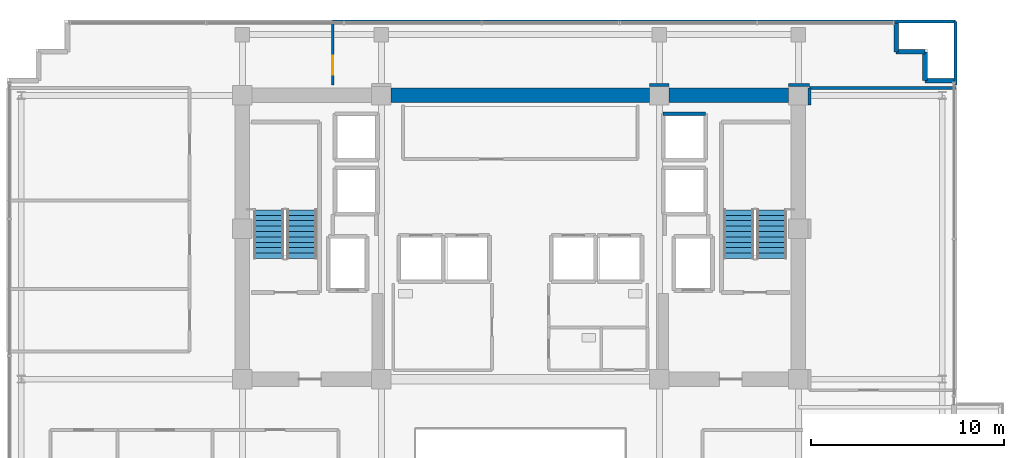
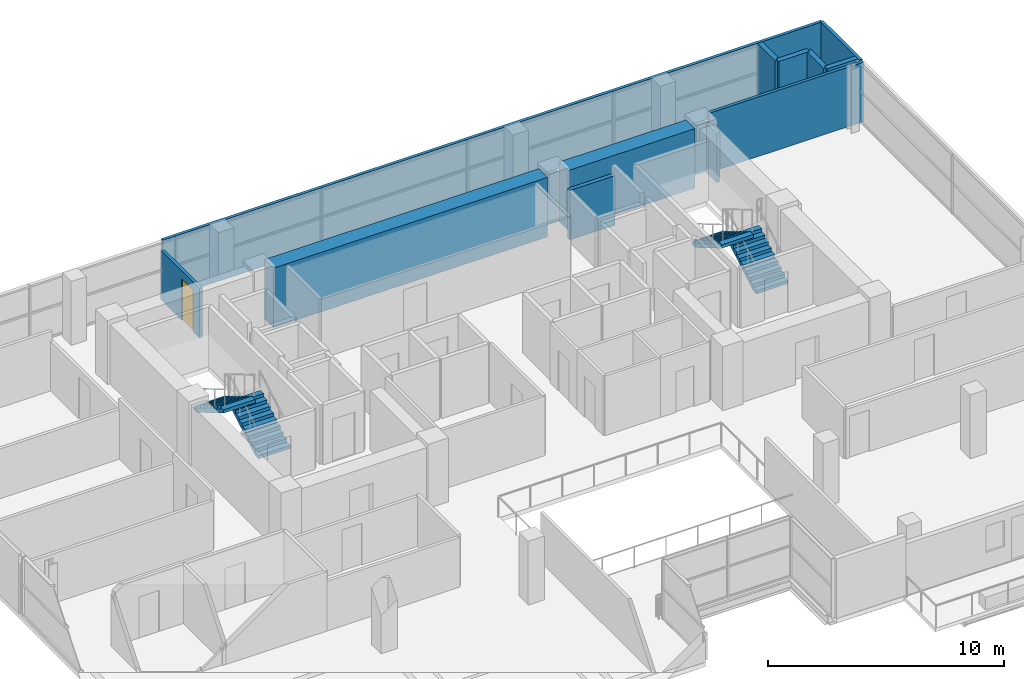
# One storey, part 21 of 25: 14 walls, 4 stair flights, 1 door, 1 opening, 2 elements without a shape of their own.
"""IFC4 building model written with IfcOpenShell, lengths in metres."""

import ifcopenshell
import ifcopenshell.guid

model = None  # the IFC model being written
_history = None  # IfcOwnerHistory: only IFC2X3 demands one
_inside = {}  # id of a spatial element -> (the spatial element, [elements in it])
_under = {}  # id of a project, library or spatial element -> (it, [spatial elements below it])
_declared = {}  # id of a project -> (the project, [libraries it declares])
_typed = {}  # id of a type object -> (the type object, [elements of that type])
_made_of = {}  # id of a material, layer set ... -> (it, [elements and type objects made of it])


def new_model(schema):
    """Start an empty IFC model of exactly this schema.

    Asked for "IFC4X3", IfcOpenShell would pick the latest addendum, in which some entities
    have other attributes; the version numbers below select the first issue.
    IFC2X3 requires an IfcOwnerHistory on every rooted entity: one is made here for all.
    """
    global model, _history
    if schema == "IFC4X3":
        model = ifcopenshell.file(schema_version=(4, 3, 0, 0))
    else:
        model = ifcopenshell.file(schema=schema)
    _inside.clear()
    _under.clear()
    _declared.clear()
    _typed.clear()
    _made_of.clear()
    _history = None
    if model.schema == "IFC2X3":
        org = make("IfcOrganization", Name="unknown")
        user = make(
            "IfcPersonAndOrganization",
            ThePerson=make("IfcPerson", FamilyName="unknown"),
            TheOrganization=org,
        )
        app = make(
            "IfcApplication",
            ApplicationDeveloper=org,
            Version="unknown",
            ApplicationFullName="unknown",
            ApplicationIdentifier="unknown",
        )
        _history = make(
            "IfcOwnerHistory",
            OwningUser=user,
            OwningApplication=app,
            ChangeAction="ADDED",
            CreationDate=0,
        )
    return model


def make(cls, **values):
    """One entity of the class cls with the attributes given. An attribute that is None is left unset."""
    return model.create_entity(
        cls, **{name: value for name, value in values.items() if value is not None}
    )


def rooted(cls, **values):
    """An entity with a GlobalId (a new one), such as an element, a storey or a relation."""
    return make(cls, GlobalId=ifcopenshell.guid.new(), OwnerHistory=_history, **values)


def si_unit(unit_type, name, prefix=None):
    """IfcSIUnit, for example si_unit("LENGTHUNIT", "METRE", prefix="MILLI")."""
    return make("IfcSIUnit", UnitType=unit_type, Prefix=prefix, Name=name)


def assignment(units):
    """IfcUnitAssignment: the units of a project."""
    return None if units is None else make("IfcUnitAssignment", Units=units)


def point(xyz):
    """IfcCartesianPoint."""
    return None if xyz is None else make("IfcCartesianPoint", Coordinates=xyz)


def direction(xyz):
    """IfcDirection."""
    return None if xyz is None else make("IfcDirection", DirectionRatios=xyz)


def frame(location, z_axis=None, x_axis=None):
    """IfcAxis2Placement3D, a coordinate frame: its origin and axes. An axis left out is left unset."""
    return make(
        "IfcAxis2Placement3D",
        Location=point(location),
        Axis=direction(z_axis),
        RefDirection=direction(x_axis),
    )


def frame_2d(location, x_axis=None):
    """IfcAxis2Placement2D, a coordinate frame in the plane: its origin and x axis."""
    return make(
        "IfcAxis2Placement2D", Location=point(location), RefDirection=direction(x_axis)
    )


def origin():
    """The frame at (0, 0, 0) with its axes left unset."""
    return frame((0.0, 0.0, 0.0))


def place(relative_to, where):
    """IfcLocalPlacement: puts the frame where relative to a parent placement (None: the world)."""
    return make(
        "IfcLocalPlacement", PlacementRelTo=relative_to, RelativePlacement=where
    )


def context(
    kind, dimensions, precision=None, world=None, true_north=None, identifier=None
):
    """IfcGeometricRepresentationContext, for example the 3D "Model" context."""
    return make(
        "IfcGeometricRepresentationContext",
        ContextIdentifier=identifier,
        ContextType=kind,
        CoordinateSpaceDimension=dimensions,
        Precision=precision,
        WorldCoordinateSystem=world,
        TrueNorth=true_north,
    )


def subcontext(parent, identifier, kind, view, scale=None):
    """IfcGeometricRepresentationSubContext, for example "Body" below "Model"."""
    return make(
        "IfcGeometricRepresentationSubContext",
        ContextIdentifier=identifier,
        ContextType=kind,
        ParentContext=parent,
        TargetScale=scale,
        TargetView=view,
    )


def project(units=None, contexts=None):
    """IfcProject with its units and contexts."""
    return rooted(
        "IfcProject",
        Name="project",
        RepresentationContexts=contexts,
        UnitsInContext=assignment(units),
    )


def spatial(cls, under=None, at=None, **own):
    """A site, building, storey or space (cls), placed at a placement, below another one or the project."""
    s = rooted(cls, ObjectPlacement=at, **own)
    if under is not None:
        _under.setdefault(under.id(), (under, []))[1].append(s)
    return s


def polyline(points):
    """IfcPolyline through the points."""
    return make("IfcPolyline", Points=[point(p) for p in points])


def profile(cls, at=None, kind="AREA", **sizes):
    """A parametric profile (cls). Its sizes go by their IFC names, for example OverallWidth=200.0."""
    return make(cls, ProfileType=kind, Position=at, **sizes)


def rectangle(**sizes):
    """IfcRectangleProfileDef."""
    return profile("IfcRectangleProfileDef", **sizes)


def outline(outer, holes=None, kind="AREA"):
    """IfcArbitraryClosedProfileDef: a profile drawn as a closed curve; with holes, ...WithVoids."""
    if holes is None:
        return make("IfcArbitraryClosedProfileDef", ProfileType=kind, OuterCurve=outer)
    return make(
        "IfcArbitraryProfileDefWithVoids",
        ProfileType=kind,
        OuterCurve=outer,
        InnerCurves=holes,
    )


def extrude(swept, where, along, depth):
    """IfcExtrudedAreaSolid: the profile swept, set in the frame where, extruded along a direction by depth."""
    return make(
        "IfcExtrudedAreaSolid",
        SweptArea=swept,
        Position=where,
        ExtrudedDirection=direction(along),
        Depth=depth,
    )


def shape(context_of_items, identifier, shape_type, items):
    """IfcShapeRepresentation: the items that make up one representation, for example the "Body"."""
    return make(
        "IfcShapeRepresentation",
        ContextOfItems=context_of_items,
        RepresentationIdentifier=identifier,
        RepresentationType=shape_type,
        Items=items,
    )


def source(mapping_origin, context_of_items, identifier, shape_type, items):
    """IfcRepresentationMap: a shape defined once, which mapped items show again and again."""
    return make(
        "IfcRepresentationMap",
        MappingOrigin=mapping_origin,
        MappedRepresentation=shape(context_of_items, identifier, shape_type, items),
    )


def transform(
    local_origin,
    x_axis=None,
    y_axis=None,
    z_axis=None,
    scale=None,
    scale2=None,
    scale3=None,
    uniform=True,
):
    """IfcCartesianTransformationOperator3D, or its non-uniform kind. x_axis, y_axis, z_axis: its Axis1, 2, 3."""
    if uniform:
        return make(
            "IfcCartesianTransformationOperator3D",
            Axis1=direction(x_axis),
            Axis2=direction(y_axis),
            LocalOrigin=point(local_origin),
            Scale=scale,
            Axis3=direction(z_axis),
        )
    return make(
        "IfcCartesianTransformationOperator3DnonUniform",
        Axis1=direction(x_axis),
        Axis2=direction(y_axis),
        LocalOrigin=point(local_origin),
        Scale=scale,
        Axis3=direction(z_axis),
        Scale2=scale2,
        Scale3=scale3,
    )


def mapped(mapping_source, mapping_target):
    """IfcMappedItem: shows the shape of a source again, moved by a transform."""
    return make(
        "IfcMappedItem", MappingSource=mapping_source, MappingTarget=mapping_target
    )


def material(Name=None, Category=None):
    """IfcMaterial."""
    return make("IfcMaterial", Name=Name, Category=Category)


def layer(
    of_material, thickness, ventilated=None, Name=None, Category=None, Priority=None
):
    """IfcMaterialLayer: one layer of a wall or slab, of a material (None: an air gap)."""
    return make(
        "IfcMaterialLayer",
        Material=of_material,
        LayerThickness=thickness,
        IsVentilated=ventilated,
        Name=Name,
        Category=Category,
        Priority=Priority,
    )


def layer_set(layers, Name=None):
    """IfcMaterialLayerSet."""
    return make("IfcMaterialLayerSet", MaterialLayers=layers, LayerSetName=Name)


def made_of(thing, what):
    """Note that an element or type object is made of a material, layer set ...; save() writes the relation."""
    if what is not None:
        _made_of.setdefault(what.id(), (what, []))[1].append(thing)
    return thing


def type_object(cls, material=None, **own):
    """A type object (cls), such as IfcWallType, which elements share."""
    return made_of(rooted(cls, **own), material)


def element(
    cls,
    number,
    at=None,
    inside=None,
    cuts=None,
    type_object=None,
    material=None,
    context=None,
    identifier="Body",
    shape_type=None,
    held_by="IfcProductDefinitionShape",
    body=None,
    shapes=None,
    **own,
):
    """One element of the class cls, such as IfcWall. Its Tag is "e" and its number.

    at: its placement. inside: the storey or other place that contains it. cuts: it is an
    opening in that element (IfcRelVoidsElement). A single representation is given by context,
    identifier, shape_type and body (its items); several are given by shapes. held_by: the class
    of the entity that holds the representations. save() writes the other relations.
    """
    e = rooted(cls, Tag="e%d" % number, ObjectPlacement=at, **own)
    if body is not None:
        shapes = [shape(context, identifier, shape_type, body)]
    if shapes is not None:
        e.Representation = make(held_by, Representations=shapes)
    if inside is not None:
        _inside.setdefault(inside.id(), (inside, []))[1].append(e)
    if cuts is not None:
        rooted(
            "IfcRelVoidsElement", RelatingBuildingElement=cuts, RelatedOpeningElement=e
        )
    if type_object is not None:
        _typed.setdefault(type_object.id(), (type_object, []))[1].append(e)
    return made_of(e, material)


def fill(opening, filler):
    """IfcRelFillsElement: the door or window that sits in an opening."""
    return rooted(
        "IfcRelFillsElement",
        RelatingOpeningElement=opening,
        RelatedBuildingElement=filler,
    )


def aggregate(whole, parts):
    """IfcRelAggregates: a whole, such as a stair, and the parts it consists of."""
    return rooted("IfcRelAggregates", RelatingObject=whole, RelatedObjects=parts)


def save(model, path):
    """Write the relations noted so far, then the file.

    IfcRelAggregates (storeys below a building ...), IfcRelContainedInSpatialStructure (elements
    in a storey), IfcRelDefinesByType, IfcRelAssociatesMaterial and IfcRelDeclares: one each for
    every whole, place, type object, material and project.
    """
    for whole, parts in _under.values():
        aggregate(whole, parts)
    for where, things in _inside.values():
        rooted(
            "IfcRelContainedInSpatialStructure",
            RelatedElements=things,
            RelatingStructure=where,
        )
    for kind, things in _typed.values():
        rooted("IfcRelDefinesByType", RelatedObjects=things, RelatingType=kind)
    for what, things in _made_of.values():
        rooted("IfcRelAssociatesMaterial", RelatedObjects=things, RelatingMaterial=what)
    for by, libraries in _declared.values():
        rooted("IfcRelDeclares", RelatingContext=by, RelatedDefinitions=libraries)
    model.write(path)


model = new_model("IFC4")

# Units and contexts
model_context = context("Model", 3, precision=1e-05, world=origin(), true_north=direction((0.0, 1.0)))
body_context = subcontext(model_context, "Body", "Model", "MODEL_VIEW")
ifc_project = project(units=[si_unit("LENGTHUNIT", "METRE"), si_unit("AREAUNIT", "SQUARE_METRE"), si_unit("VOLUMEUNIT", "CUBIC_METRE"), si_unit("PLANEANGLEUNIT", "RADIAN"), si_unit("MASSUNIT", "GRAM", prefix="KILO")], contexts=[model_context])

# Site, building, storey
site_placement = place(None, origin())
site = spatial("IfcSite", under=ifc_project, at=site_placement, CompositionType="ELEMENT")
building_placement = place(site_placement, origin())
building = spatial("IfcBuilding", under=site, at=building_placement, Name="Zarnakvel Exchange Tower", CompositionType="ELEMENT")
storey_placement = place(building_placement, frame((0.0, 0.0, 162.699951171875)))
storey = spatial("IfcBuildingStorey", under=building, at=storey_placement, Name="L45", CompositionType="ELEMENT", Elevation=162.699951171875)

# Walls
ifc_material_1 = material(Name="Concrete C60/75", Category="concrete")
ifc_layer_1 = layer(ifc_material_1, 0.75)
ifc_layer_set_1 = layer_set([ifc_layer_1], Name="Concrete C60/75")
wall_type_1 = type_object("IfcWallType", Name="CW-C3", PredefinedType="SHEAR", material=ifc_layer_set_1)
wall_1_placement = place(storey_placement, frame((-6.699951171875, 13.5, 0.0), z_axis=(0.0, 0.0, 1.0), x_axis=(1.0, 0.0, 0.0)))
element("IfcWall", 1, at=wall_1_placement, inside=storey, type_object=wall_type_1, Name="L45 Rear Core Shear Wall N2 (CW-C3)", PredefinedType="SHEAR", context=body_context, shape_type="SweptSolid", body=[
    extrude(rectangle(XDim=13.39990234375, YDim=0.75, at=frame_2d((6.699951171875, 0.0))), origin(), (0.0, 0.0, 1.0), 3.074951171875),
])
wall_2_placement = place(storey_placement, frame((7.699951171875, 13.5, 0.0), z_axis=(0.0, 0.0, 1.0), x_axis=(1.0, 0.0, 0.0)))
element("IfcWall", 2, at=wall_2_placement, inside=storey, type_object=wall_type_1, Name="L45 Rear Core Shear Wall N3 (CW-C3)", PredefinedType="SHEAR", context=body_context, shape_type="SweptSolid", body=[
    extrude(rectangle(XDim=6.199951171875, YDim=0.75, at=frame_2d((3.10009765625, 0.0))), origin(), (0.0, 0.0, 1.0), 3.074951171875),
])
ifc_material_2 = material(Name="Precast concrete C40/50", Category="concrete")
ifc_layer_2 = layer(ifc_material_2, 0.239990234375)
ifc_layer_set_2 = layer_set([ifc_layer_2], Name="Precast concrete C40/50")
wall_type_2 = type_object("IfcWallType", Name="EW-02", PredefinedType="SOLIDWALL", material=ifc_layer_set_2)
for number, where, z_axis, x_axis, name in (
    (3, (19.4599609375, 15.760009765625, 0.0), (0.0, 0.0, 1.0), (0.0, 1.0, 0.0), "L45 Exterior Precast Spandrel Wall EWC-L45-05 (EW-02)"),
    (4, (20.9599609375, 15.760009765625, 0.0), (0.0, 0.0, 1.0), (-1.0, 0.0, 0.0), "L45 Exterior Precast Spandrel Wall EWC-L45-06 (EW-02)"),
    (5, (20.9599609375, 14.260009765625, 0.0), (0.0, 0.0, 1.0), (0.0, 1.0, 0.0), "L45 Exterior Precast Spandrel Wall EWC-L45-07 (EW-02)"),
    (6, (22.4599609375, 14.260009765625, 0.0), (0.0, 0.0, 1.0), (-1.0, 0.0, 0.0), "L45 Exterior Precast Spandrel Wall EWC-L45-08 (EW-02)"),
):
    element("IfcWall", number, at=place(storey_placement, frame(where, z_axis=z_axis, x_axis=x_axis)), inside=storey, type_object=wall_type_2, Name=name, PredefinedType="SOLIDWALL", context=body_context, shape_type="SweptSolid", body=[
        extrude(rectangle(XDim=1.5, YDim=0.239990234375, at=frame_2d((0.75, 0.0))), origin(), (0.0, 0.0, 1.0), 3.074951171875),
    ])
ifc_material_3 = material(Name="Fire-Rated Gypsum Stud Partition", Category="gypsum")
ifc_layer_3 = layer(ifc_material_3, 0.14990234375)
ifc_layer_set_3 = layer_set([ifc_layer_3], Name="Fire-Rated Gypsum Stud Partition")
wall_type_3 = type_object("IfcWallType", Name="PT-01", PredefinedType="PARTITIONING", material=ifc_layer_set_3)
wall_3_placement = place(storey_placement, frame((14.969970703125, 13.8798828125, 0.0), z_axis=(0.0, 0.0, 1.0), x_axis=(1.0, 0.0, 0.0)))
element("IfcWall", 7, at=wall_3_placement, inside=storey, type_object=wall_type_3, Name="L45 Partition Wall PWALL-L45-056 (PT-01)", PredefinedType="PARTITIONING", context=body_context, shape_type="SweptSolid", body=[
    extrude(rectangle(XDim=7.56005859375, YDim=0.14990234375, at=frame_2d((3.780029296875, 0.0))), origin(), (0.0, 0.0, 1.0), 3.074951171875),
])
wall_4_placement = place(storey_placement, frame((14.969970703125, 13.0, 0.0), z_axis=(0.0, 0.0, 1.0), x_axis=(0.0, 1.0, 0.0)))
element("IfcWall", 8, at=wall_4_placement, inside=storey, type_object=wall_type_3, Name="L45 Partition Wall PWALL-L45-059 (PT-01)", PredefinedType="PARTITIONING", context=body_context, shape_type="SweptSolid", body=[
    extrude(rectangle(XDim=0.8798828125, YDim=0.14990234375, at=frame_2d((0.43994140625, 0.0))), origin(), (0.0, 0.0, 1.0), 2.56494140625),
])
wall_5_placement = place(storey_placement, frame((7.699951171875, 14.030029296875, 0.0), z_axis=(0.0, 0.0, 1.0), x_axis=(-1.0, 0.0, 0.0)))
element("IfcWall", 9, at=wall_5_placement, inside=storey, type_object=wall_type_3, Name="L45 Partition Wall PWALL-L45-062 (PT-01)", PredefinedType="PARTITIONING", context=body_context, shape_type="SweptSolid", body=[
    extrude(rectangle(XDim=1.0, YDim=0.14990234375, at=frame_2d((0.5, 0.0))), origin(), (0.0, 0.0, 1.0), 2.56494140625),
])
wall_6_placement = place(storey_placement, frame((14.969970703125, 14.030029296875, 0.0), z_axis=(0.0, 0.0, 1.0), x_axis=(-1.0, 0.0, 0.0)))
element("IfcWall", 10, at=wall_6_placement, inside=storey, type_object=wall_type_3, Name="L45 Partition Wall PWALL-L45-063 (PT-01)", PredefinedType="PARTITIONING", context=body_context, shape_type="SweptSolid", body=[
    extrude(rectangle(XDim=1.070068359375, YDim=0.14990234375, at=frame_2d((0.53515625, 0.0))), origin(), (0.0, 0.0, 1.0), 2.56494140625),
])
wall_7_placement = place(storey_placement, frame((-9.719970703125, 17.330078125, 0.0), z_axis=(0.0, 0.0, 1.0), x_axis=(1.0, 0.0, 0.0)))
element("IfcWall", 11, at=wall_7_placement, inside=storey, type_object=wall_type_3, Name="L45 Partition Wall PWALL-L45-064 (PT-01)", PredefinedType="PARTITIONING", context=body_context, shape_type="SweptSolid", body=[
    extrude(rectangle(XDim=32.25, YDim=0.14990234375, at=frame_2d((16.125, 0.0))), origin(), (0.0, 0.0, 1.0), 3.074951171875),
])

# Wall, opening, door
wall_8_placement = place(storey_placement, frame((-9.719970703125, 14.030029296875, 0.0), z_axis=(0.0, 0.0, 1.0), x_axis=(0.0, 1.0, 0.0)))
wall_8 = element("IfcWall", 12, at=wall_8_placement, inside=storey, type_object=wall_type_3, Name="L45 Partition Wall PWALL-L45-065 (PT-01)", PredefinedType="PARTITIONING", context=body_context, shape_type="SweptSolid", body=[
    extrude(rectangle(XDim=3.300048828125, YDim=0.14990234375, at=frame_2d((1.64990234375, 0.0))), origin(), (0.0, 0.0, 1.0), 2.56494140625),
])
opening_placement = place(wall_8_placement, frame((0.550048828125, 0.0, 0.0)))
opening = element("IfcOpeningElement", 13, at=opening_placement, cuts=wall_8, Name="Opening D-L45-20", PredefinedType="OPENING", context=body_context, shape_type="SweptSolid", body=[
    extrude(rectangle(XDim=0.97998046875, YDim=2.14990234375, at=frame_2d((0.489990234375, 1.074951171875))), frame((0.0, 0.0849609375, 0.0), z_axis=(0.0, -1.0, 0.0), x_axis=(1.0, 0.0, 0.0)), (0.0, 0.0, 1.0), 0.169921875),
])
ifc_material_4 = material(Name="Timber Acoustic Veneer", Category="wood")
door_type = type_object("IfcDoorType", Name="DT-05", OperationType="NOTDEFINED", PredefinedType="DOOR", material=ifc_material_4)
shared_shape = source(origin(), body_context, "Body", "SweptSolid", [
    extrude(rectangle(XDim=0.97998046875, YDim=2.14990234375, at=frame_2d((0.489990234375, 1.074951171875))), frame((0.0, 0.02490234375, 0.0), z_axis=(0.0, -1.0, 0.0), x_axis=(1.0, 0.0, 0.0)), (0.0, 0.0, 1.0), 0.050048828125),
])
door_placement = place(opening_placement, origin())
door = element("IfcDoor", 14, at=door_placement, inside=storey, type_object=door_type, Name="L45 Compliance Office Door D-L45-20", OperationType="SINGLE_SWING_LEFT", OverallHeight=2.14990234375, OverallWidth=0.97998046875, PredefinedType="DOOR", context=body_context, shape_type="MappedRepresentation", body=[
    mapped(shared_shape, transform((0.0, 0.0, 0.0), x_axis=(1.0, 0.0, 0.0), y_axis=(0.0, 1.0, 0.0), z_axis=(0.0, 0.0, 1.0), scale=1.0)),
])
fill(opening, door)

# Walls
wall_9_placement = place(storey_placement, frame((22.530029296875, 17.330078125, 0.0), z_axis=(0.0, 0.0, 1.0), x_axis=(0.0, -1.0, 0.0)))
element("IfcWall", 15, at=wall_9_placement, inside=storey, type_object=wall_type_3, Name="L45 Partition Wall PWALL-L45-066 (PT-01)", PredefinedType="PARTITIONING", context=body_context, shape_type="SweptSolid", body=[
    extrude(rectangle(XDim=3.300048828125, YDim=0.14990234375, at=frame_2d((1.64990234375, 0.0))), origin(), (0.0, 0.0, 1.0), 3.074951171875),
])
ifc_material_5 = material(Name="Concrete C40/50", Category="concrete")
ifc_layer_4 = layer(ifc_material_5, 0.199951171875)
ifc_layer_set_4 = layer_set([ifc_layer_4], Name="Concrete C40/50")
wall_type_4 = type_object("IfcWallType", Name="SW-01", PredefinedType="SOLIDWALL", material=ifc_layer_set_4)
wall_10_placement = place(storey_placement, frame((7.39990234375, 12.550048828125, 0.0), z_axis=(0.0, 0.0, 1.0), x_axis=(1.0, 0.0, 0.0)))
element("IfcWall", 16, at=wall_10_placement, inside=storey, type_object=wall_type_4, Name="L45 PL-12 Hoistway Wall North", PredefinedType="SOLIDWALL", context=body_context, shape_type="SweptSolid", body=[
    extrude(rectangle(XDim=2.2001953125, YDim=0.199951171875, at=frame_2d((1.10009765625, 0.0))), origin(), (0.0, 0.0, 1.0), 2.56494140625),
])

# Stair, stair flights
stair_type = type_object("IfcStairType", Name="STR-01", PredefinedType="HALF_TURN_STAIR", material=ifc_material_5)
stair_1_placement = place(storey_placement, origin())
stair_1 = element("IfcStair", 17, at=stair_1_placement, inside=storey, type_object=stair_type, Name="L45 Protected Core Exit Stair ST-01", PredefinedType="HALF_TURN_STAIR")
stair_flight_type = type_object("IfcStairFlightType", Name="FLT-01", PredefinedType="STRAIGHT", material=ifc_material_5)
stair_flight_1_placement = place(storey_placement, frame((-11.31494140625, 5.050048828125, 0.0), z_axis=(0.0, 0.0, 1.0), x_axis=(0.0, 1.0, 0.0)))
stair_flight_1 = element("IfcStairFlight", 18, at=stair_flight_1_placement, type_object=stair_flight_type, Name="ST-01 flight 1", NumberOfRisers=10, NumberOfTreads=9, PredefinedType="STRAIGHT", RiserHeight=0.165, TreadLength=0.28, context=body_context, shape_type="SweptSolid", body=[
    extrude(outline(polyline([(0.0, 0.0), (0.0, 0.1650390625), (0.280029296875, 0.1650390625), (0.280029296875, 0.330078125), (0.56005859375, 0.330078125), (0.56005859375, 0.4951171875), (0.840087890625, 0.4951171875), (0.840087890625, 0.659912109375), (1.1201171875, 0.659912109375), (1.1201171875, 0.824951171875), (1.39990234375, 0.824951171875), (1.39990234375, 0.989990234375), (1.679931640625, 0.989990234375), (1.679931640625, 1.155029296875), (1.9599609375, 1.155029296875), (1.9599609375, 1.320068359375), (2.239990234375, 1.320068359375), (2.239990234375, 1.485107421875), (2.52001953125, 1.485107421875), (2.52001953125, 1.64990234375), (2.52001953125, 1.31103515625), (0.295166015625, 0.0), (0.0, 0.0)])), frame((0.0, 0.77490234375, 0.0), z_axis=(0.0, -1.0, 0.0), x_axis=(1.0, 0.0, 0.0)), (0.0, 0.0, 1.0), 1.550048828125),
])
stair_flight_2_placement = place(storey_placement, frame((-13.02490234375, 7.570068359375, 1.650146484375), z_axis=(0.0, 0.0, 1.0), x_axis=(0.0, -1.0, 0.0)))
stair_flight_2 = element("IfcStairFlight", 19, at=stair_flight_2_placement, type_object=stair_flight_type, Name="ST-01 flight 2", NumberOfRisers=10, NumberOfTreads=9, PredefinedType="STRAIGHT", RiserHeight=0.165, TreadLength=0.28, context=body_context, shape_type="SweptSolid", body=[
    extrude(outline(polyline([(0.0, 0.0), (0.0, 0.1650390625), (0.280029296875, 0.1650390625), (0.280029296875, 0.330078125), (0.56005859375, 0.330078125), (0.56005859375, 0.4951171875), (0.840087890625, 0.4951171875), (0.840087890625, 0.659912109375), (1.1201171875, 0.659912109375), (1.1201171875, 0.824951171875), (1.39990234375, 0.824951171875), (1.39990234375, 0.989990234375), (1.679931640625, 0.989990234375), (1.679931640625, 1.155029296875), (1.9599609375, 1.155029296875), (1.9599609375, 1.320068359375), (2.239990234375, 1.320068359375), (2.239990234375, 1.485107421875), (2.52001953125, 1.485107421875), (2.52001953125, 1.64990234375), (2.52001953125, 1.31103515625), (0.295166015625, 0.0), (0.0, 0.0)])), frame((0.0, 0.77490234375, 0.0), z_axis=(0.0, -1.0, 0.0), x_axis=(1.0, 0.0, 0.0)), (0.0, 0.0, 1.0), 1.550048828125),
])
aggregate(stair_1, [stair_flight_1, stair_flight_2])

stair_2_placement = place(storey_placement, origin())
stair_2 = element("IfcStair", 20, at=stair_2_placement, inside=storey, type_object=stair_type, Name="L45 Protected Core Exit Stair ST-02", PredefinedType="HALF_TURN_STAIR")
stair_flight_3_placement = place(storey_placement, frame((13.02490234375, 5.050048828125, 0.0), z_axis=(0.0, 0.0, 1.0), x_axis=(0.0, 1.0, 0.0)))
stair_flight_3 = element("IfcStairFlight", 21, at=stair_flight_3_placement, type_object=stair_flight_type, Name="ST-02 flight 1", NumberOfRisers=10, NumberOfTreads=9, PredefinedType="STRAIGHT", RiserHeight=0.165, TreadLength=0.28, context=body_context, shape_type="SweptSolid", body=[
    extrude(outline(polyline([(0.0, 0.0), (0.0, 0.1650390625), (0.280029296875, 0.1650390625), (0.280029296875, 0.330078125), (0.56005859375, 0.330078125), (0.56005859375, 0.4951171875), (0.840087890625, 0.4951171875), (0.840087890625, 0.659912109375), (1.1201171875, 0.659912109375), (1.1201171875, 0.824951171875), (1.39990234375, 0.824951171875), (1.39990234375, 0.989990234375), (1.679931640625, 0.989990234375), (1.679931640625, 1.155029296875), (1.9599609375, 1.155029296875), (1.9599609375, 1.320068359375), (2.239990234375, 1.320068359375), (2.239990234375, 1.485107421875), (2.52001953125, 1.485107421875), (2.52001953125, 1.64990234375), (2.52001953125, 1.31103515625), (0.295166015625, 0.0), (0.0, 0.0)])), frame((0.0, 0.77490234375, 0.0), z_axis=(0.0, -1.0, 0.0), x_axis=(1.0, 0.0, 0.0)), (0.0, 0.0, 1.0), 1.550048828125),
])
stair_flight_4_placement = place(storey_placement, frame((11.31494140625, 7.570068359375, 1.650146484375), z_axis=(0.0, 0.0, 1.0), x_axis=(0.0, -1.0, 0.0)))
stair_flight_4 = element("IfcStairFlight", 22, at=stair_flight_4_placement, type_object=stair_flight_type, Name="ST-02 flight 2", NumberOfRisers=10, NumberOfTreads=9, PredefinedType="STRAIGHT", RiserHeight=0.165, TreadLength=0.28, context=body_context, shape_type="SweptSolid", body=[
    extrude(outline(polyline([(0.0, 0.0), (0.0, 0.1650390625), (0.280029296875, 0.1650390625), (0.280029296875, 0.330078125), (0.56005859375, 0.330078125), (0.56005859375, 0.4951171875), (0.840087890625, 0.4951171875), (0.840087890625, 0.659912109375), (1.1201171875, 0.659912109375), (1.1201171875, 0.824951171875), (1.39990234375, 0.824951171875), (1.39990234375, 0.989990234375), (1.679931640625, 0.989990234375), (1.679931640625, 1.155029296875), (1.9599609375, 1.155029296875), (1.9599609375, 1.320068359375), (2.239990234375, 1.320068359375), (2.239990234375, 1.485107421875), (2.52001953125, 1.485107421875), (2.52001953125, 1.64990234375), (2.52001953125, 1.31103515625), (0.295166015625, 0.0), (0.0, 0.0)])), frame((0.0, 0.77490234375, 0.0), z_axis=(0.0, -1.0, 0.0), x_axis=(1.0, 0.0, 0.0)), (0.0, 0.0, 1.0), 1.550048828125),
])
aggregate(stair_2, [stair_flight_3, stair_flight_4])

save(model, "model.ifc")
